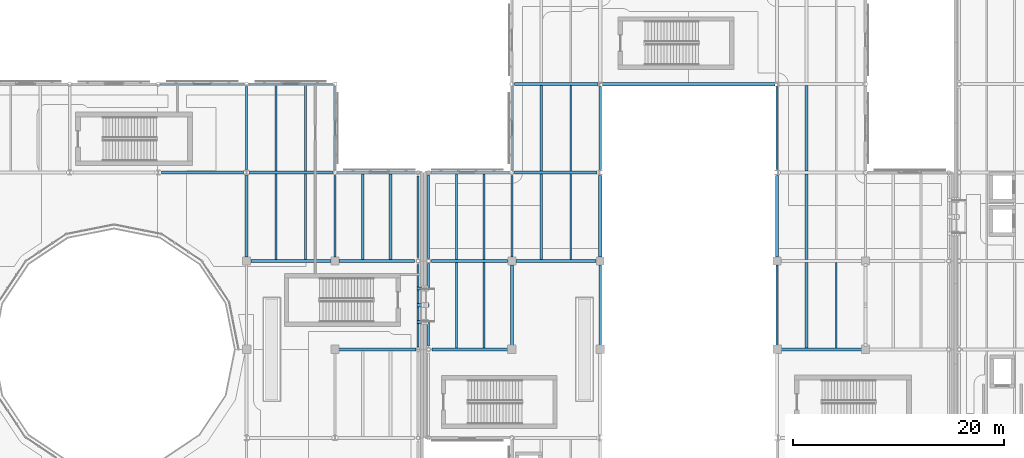
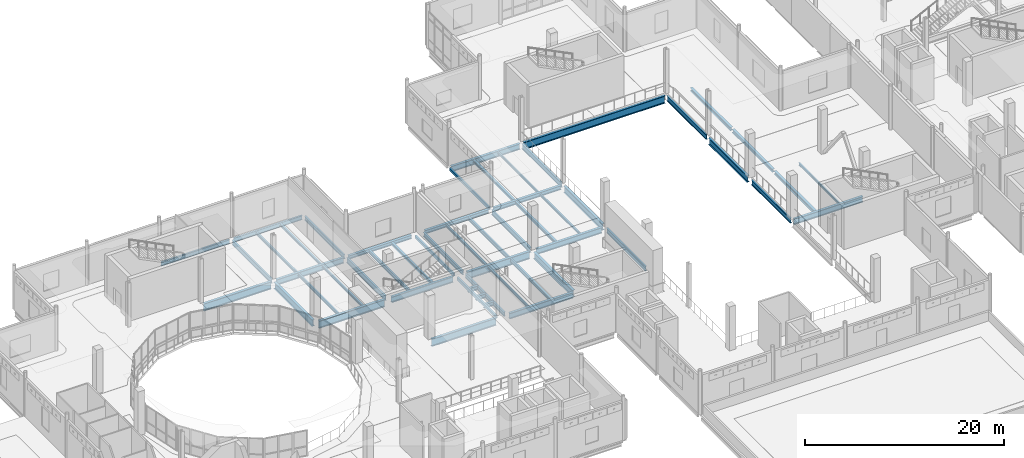
# One storey, part 27 of 110: 54 beams.
"""IFC4 building model written with IfcOpenShell, lengths in metres."""

import ifcopenshell
import ifcopenshell.guid

model = None  # the IFC model being written
_history = None  # IfcOwnerHistory: only IFC2X3 demands one
_inside = {}  # id of a spatial element -> (the spatial element, [elements in it])
_under = {}  # id of a project, library or spatial element -> (it, [spatial elements below it])
_declared = {}  # id of a project -> (the project, [libraries it declares])
_typed = {}  # id of a type object -> (the type object, [elements of that type])
_made_of = {}  # id of a material, layer set ... -> (it, [elements and type objects made of it])


def new_model(schema):
    """Start an empty IFC model of exactly this schema.

    Asked for "IFC4X3", IfcOpenShell would pick the latest addendum, in which some entities
    have other attributes; the version numbers below select the first issue.
    IFC2X3 requires an IfcOwnerHistory on every rooted entity: one is made here for all.
    """
    global model, _history
    if schema == "IFC4X3":
        model = ifcopenshell.file(schema_version=(4, 3, 0, 0))
    else:
        model = ifcopenshell.file(schema=schema)
    _inside.clear()
    _under.clear()
    _declared.clear()
    _typed.clear()
    _made_of.clear()
    _history = None
    if model.schema == "IFC2X3":
        org = make("IfcOrganization", Name="unknown")
        user = make(
            "IfcPersonAndOrganization",
            ThePerson=make("IfcPerson", FamilyName="unknown"),
            TheOrganization=org,
        )
        app = make(
            "IfcApplication",
            ApplicationDeveloper=org,
            Version="unknown",
            ApplicationFullName="unknown",
            ApplicationIdentifier="unknown",
        )
        _history = make(
            "IfcOwnerHistory",
            OwningUser=user,
            OwningApplication=app,
            ChangeAction="ADDED",
            CreationDate=0,
        )
    return model


def make(cls, **values):
    """One entity of the class cls with the attributes given. An attribute that is None is left unset."""
    return model.create_entity(
        cls, **{name: value for name, value in values.items() if value is not None}
    )


def rooted(cls, **values):
    """An entity with a GlobalId (a new one), such as an element, a storey or a relation."""
    return make(cls, GlobalId=ifcopenshell.guid.new(), OwnerHistory=_history, **values)


def si_unit(unit_type, name, prefix=None):
    """IfcSIUnit, for example si_unit("LENGTHUNIT", "METRE", prefix="MILLI")."""
    return make("IfcSIUnit", UnitType=unit_type, Prefix=prefix, Name=name)


def assignment(units):
    """IfcUnitAssignment: the units of a project."""
    return None if units is None else make("IfcUnitAssignment", Units=units)


def point(xyz):
    """IfcCartesianPoint."""
    return None if xyz is None else make("IfcCartesianPoint", Coordinates=xyz)


def direction(xyz):
    """IfcDirection."""
    return None if xyz is None else make("IfcDirection", DirectionRatios=xyz)


def frame(location, z_axis=None, x_axis=None):
    """IfcAxis2Placement3D, a coordinate frame: its origin and axes. An axis left out is left unset."""
    return make(
        "IfcAxis2Placement3D",
        Location=point(location),
        Axis=direction(z_axis),
        RefDirection=direction(x_axis),
    )


def frame_2d(location, x_axis=None):
    """IfcAxis2Placement2D, a coordinate frame in the plane: its origin and x axis."""
    return make(
        "IfcAxis2Placement2D", Location=point(location), RefDirection=direction(x_axis)
    )


def origin():
    """The frame at (0, 0, 0) with its axes left unset."""
    return frame((0.0, 0.0, 0.0))


def origin_2d():
    """The frame at (0, 0) in the plane with its x axis left unset."""
    return frame_2d((0.0, 0.0))


def place(relative_to, where):
    """IfcLocalPlacement: puts the frame where relative to a parent placement (None: the world)."""
    return make(
        "IfcLocalPlacement", PlacementRelTo=relative_to, RelativePlacement=where
    )


def context(
    kind, dimensions, precision=None, world=None, true_north=None, identifier=None
):
    """IfcGeometricRepresentationContext, for example the 3D "Model" context."""
    return make(
        "IfcGeometricRepresentationContext",
        ContextIdentifier=identifier,
        ContextType=kind,
        CoordinateSpaceDimension=dimensions,
        Precision=precision,
        WorldCoordinateSystem=world,
        TrueNorth=true_north,
    )


def subcontext(parent, identifier, kind, view, scale=None):
    """IfcGeometricRepresentationSubContext, for example "Body" below "Model"."""
    return make(
        "IfcGeometricRepresentationSubContext",
        ContextIdentifier=identifier,
        ContextType=kind,
        ParentContext=parent,
        TargetScale=scale,
        TargetView=view,
    )


def project(units=None, contexts=None):
    """IfcProject with its units and contexts."""
    return rooted(
        "IfcProject",
        Name="project",
        RepresentationContexts=contexts,
        UnitsInContext=assignment(units),
    )


def spatial(cls, under=None, at=None, **own):
    """A site, building, storey or space (cls), placed at a placement, below another one or the project."""
    s = rooted(cls, ObjectPlacement=at, **own)
    if under is not None:
        _under.setdefault(under.id(), (under, []))[1].append(s)
    return s


def profile(cls, at=None, kind="AREA", **sizes):
    """A parametric profile (cls). Its sizes go by their IFC names, for example OverallWidth=200.0."""
    return make(cls, ProfileType=kind, Position=at, **sizes)


def hollow_rectangle(**sizes):
    """IfcRectangleHollowProfileDef."""
    return profile("IfcRectangleHollowProfileDef", **sizes)


def i_section(**sizes):
    """IfcIShapeProfileDef."""
    return profile("IfcIShapeProfileDef", **sizes)


def extrude(swept, where, along, depth):
    """IfcExtrudedAreaSolid: the profile swept, set in the frame where, extruded along a direction by depth."""
    return make(
        "IfcExtrudedAreaSolid",
        SweptArea=swept,
        Position=where,
        ExtrudedDirection=direction(along),
        Depth=depth,
    )


def shape(context_of_items, identifier, shape_type, items):
    """IfcShapeRepresentation: the items that make up one representation, for example the "Body"."""
    return make(
        "IfcShapeRepresentation",
        ContextOfItems=context_of_items,
        RepresentationIdentifier=identifier,
        RepresentationType=shape_type,
        Items=items,
    )


def material(Name=None, Category=None):
    """IfcMaterial."""
    return make("IfcMaterial", Name=Name, Category=Category)


def material_profile(
    of_material, cross_section, Name=None, Category=None, Priority=None
):
    """IfcMaterialProfile: a cross section and its material."""
    return make(
        "IfcMaterialProfile",
        Name=Name,
        Material=of_material,
        Profile=cross_section,
        Priority=Priority,
        Category=Category,
    )


def profile_set(profiles, Name=None, composite=None):
    """IfcMaterialProfileSet."""
    return make(
        "IfcMaterialProfileSet",
        Name=Name,
        MaterialProfiles=profiles,
        CompositeProfile=composite,
    )


def made_of(thing, what):
    """Note that an element or type object is made of a material, layer set ...; save() writes the relation."""
    if what is not None:
        _made_of.setdefault(what.id(), (what, []))[1].append(thing)
    return thing


def type_object(cls, material=None, **own):
    """A type object (cls), such as IfcWallType, which elements share."""
    return made_of(rooted(cls, **own), material)


def element(
    cls,
    number,
    at=None,
    inside=None,
    cuts=None,
    type_object=None,
    material=None,
    context=None,
    identifier="Body",
    shape_type=None,
    held_by="IfcProductDefinitionShape",
    body=None,
    shapes=None,
    **own,
):
    """One element of the class cls, such as IfcWall. Its Tag is "e" and its number.

    at: its placement. inside: the storey or other place that contains it. cuts: it is an
    opening in that element (IfcRelVoidsElement). A single representation is given by context,
    identifier, shape_type and body (its items); several are given by shapes. held_by: the class
    of the entity that holds the representations. save() writes the other relations.
    """
    e = rooted(cls, Tag="e%d" % number, ObjectPlacement=at, **own)
    if body is not None:
        shapes = [shape(context, identifier, shape_type, body)]
    if shapes is not None:
        e.Representation = make(held_by, Representations=shapes)
    if inside is not None:
        _inside.setdefault(inside.id(), (inside, []))[1].append(e)
    if cuts is not None:
        rooted(
            "IfcRelVoidsElement", RelatingBuildingElement=cuts, RelatedOpeningElement=e
        )
    if type_object is not None:
        _typed.setdefault(type_object.id(), (type_object, []))[1].append(e)
    return made_of(e, material)


def aggregate(whole, parts):
    """IfcRelAggregates: a whole, such as a stair, and the parts it consists of."""
    return rooted("IfcRelAggregates", RelatingObject=whole, RelatedObjects=parts)


def save(model, path):
    """Write the relations noted so far, then the file.

    IfcRelAggregates (storeys below a building ...), IfcRelContainedInSpatialStructure (elements
    in a storey), IfcRelDefinesByType, IfcRelAssociatesMaterial and IfcRelDeclares: one each for
    every whole, place, type object, material and project.
    """
    for whole, parts in _under.values():
        aggregate(whole, parts)
    for where, things in _inside.values():
        rooted(
            "IfcRelContainedInSpatialStructure",
            RelatedElements=things,
            RelatingStructure=where,
        )
    for kind, things in _typed.values():
        rooted("IfcRelDefinesByType", RelatedObjects=things, RelatingType=kind)
    for what, things in _made_of.values():
        rooted("IfcRelAssociatesMaterial", RelatedObjects=things, RelatingMaterial=what)
    for by, libraries in _declared.values():
        rooted("IfcRelDeclares", RelatingContext=by, RelatedDefinitions=libraries)
    model.write(path)


model = new_model("IFC4")

# Units and contexts
model_context = context("Model", 3, precision=1e-05, world=origin(), true_north=direction((0.0, 1.0)))
body_context = subcontext(model_context, "Body", "Model", "MODEL_VIEW")
ifc_project = project(units=[si_unit("LENGTHUNIT", "METRE"), si_unit("AREAUNIT", "SQUARE_METRE"), si_unit("VOLUMEUNIT", "CUBIC_METRE"), si_unit("PLANEANGLEUNIT", "RADIAN"), si_unit("MASSUNIT", "GRAM", prefix="KILO"), si_unit("THERMODYNAMICTEMPERATUREUNIT", "KELVIN")], contexts=[model_context])

# Site, building, storey
site_placement = place(None, origin())
site = spatial("IfcSite", under=ifc_project, at=site_placement, CompositionType="ELEMENT")
building_placement = place(site_placement, origin())
building = spatial("IfcBuilding", under=site, at=building_placement, Name="Lustrewick Department Store", CompositionType="ELEMENT")
storey_placement = place(building_placement, frame((0.0, 0.0, 6.0)))
storey = spatial("IfcBuildingStorey", under=building, at=storey_placement, Name="L02", CompositionType="ELEMENT", Elevation=6.0)

# Beams
ifc_material_1 = material(Name="Structural steel Q355B", Category="steel")
ifc_material_profile_1 = material_profile(ifc_material_1, i_section(OverallWidth=0.198974609375, OverallDepth=0.446044921875, WebThickness=0.008056640625, FlangeThickness=0.011962890625, FilletRadius=0.01611328125, at=origin_2d()), Name="HN 446x199x8x12")
ifc_profile_set_1 = profile_set([ifc_material_profile_1], Name="Structural steel Q355B")
beam_type_1 = type_object("IfcBeamType", Name="B04", PredefinedType="JOIST", material=ifc_profile_set_1)
beam_1_placement = place(storey_placement, frame((53.033203125, 75.75, -0.47802734375), z_axis=(0.0, 1.0, 0.0), x_axis=(-1.0, 0.0, 0.0)))
element("IfcBeam", 1, at=beam_1_placement, inside=storey, type_object=beam_type_1, Name="L02 V1 Secondary Joist B04", PredefinedType="JOIST", context=body_context, shape_type="SweptSolid", body=[
    extrude(i_section(OverallWidth=0.198974609375, OverallDepth=0.446044921875, WebThickness=0.008056640625, FlangeThickness=0.011962890625, FilletRadius=0.01611328125, at=origin_2d()), origin(), (0.0, 0.0, 1.0), 8.10009765625),
])
beam_2_placement = place(storey_placement, frame((64.566650390625, 67.35009765625, -0.47802734375), z_axis=(0.0, 1.0, 0.0), x_axis=(-1.0, 0.0, 0.0)))
element("IfcBeam", 2, at=beam_2_placement, inside=storey, type_object=beam_type_1, Name="L02 V2 Secondary Joist B04", PredefinedType="JOIST", context=body_context, shape_type="SweptSolid", body=[
    extrude(i_section(OverallWidth=0.198974609375, OverallDepth=0.446044921875, WebThickness=0.008056640625, FlangeThickness=0.011962890625, FilletRadius=0.01611328125, at=origin_2d()), origin(), (0.0, 0.0, 1.0), 8.098876953125),
])
beam_3_placement = place(storey_placement, frame((64.566650390625, 75.7509765625, -0.47802734375), z_axis=(0.0, 1.0, 0.0), x_axis=(-1.0, 0.0, 0.0)))
element("IfcBeam", 3, at=beam_3_placement, inside=storey, type_object=beam_type_1, Name="L02 V2 Secondary Joist B04", PredefinedType="JOIST", context=body_context, shape_type="SweptSolid", body=[
    extrude(i_section(OverallWidth=0.198974609375, OverallDepth=0.446044921875, WebThickness=0.008056640625, FlangeThickness=0.011962890625, FilletRadius=0.01611328125, at=origin_2d()), origin(), (0.0, 0.0, 1.0), 8.09912109375),
])
ifc_material_profile_2 = material_profile(ifc_material_1, i_section(OverallWidth=0.300048828125, OverallDepth=0.389892578125, WebThickness=0.010009765625, FlangeThickness=0.01611328125, FilletRadius=0.01806640625, at=origin_2d()), Name="HM 390x300x10x16")
ifc_profile_set_2 = profile_set([ifc_material_profile_2], Name="Structural steel Q355B")
beam_type_2 = type_object("IfcBeamType", Name="B07", PredefinedType="JOIST", material=ifc_profile_set_2)
beam_4_placement = place(storey_placement, frame((95.199951171875, 67.35009765625, -0.449951171875), z_axis=(0.0, 1.0, 0.0), x_axis=(-1.0, 0.0, 0.0)))
element("IfcBeam", 4, at=beam_4_placement, inside=storey, type_object=beam_type_2, Name="L02 V2 Secondary Joist B07", PredefinedType="JOIST", context=body_context, shape_type="SweptSolid", body=[
    extrude(i_section(OverallWidth=0.300048828125, OverallDepth=0.389892578125, WebThickness=0.010009765625, FlangeThickness=0.01611328125, FilletRadius=0.01806640625, at=origin_2d()), origin(), (0.0, 0.0, 1.0), 8.099853515625),
])
for number, where, z_axis, x_axis, name in (
    (5, (95.199951171875, 75.75, -0.449951171875), (0.0, 1.0, 0.0), (-1.0, 0.0, 0.0), "L02 V2 Secondary Joist B07"),
    (6, (95.199951171875, 84.14990234375, -0.449951171875), (0.0, 1.0, 0.0), (-1.0, 0.0, 0.0), "L02 V2 Secondary Joist B07"),
):
    element("IfcBeam", number, at=place(storey_placement, frame(where, z_axis=z_axis, x_axis=x_axis)), inside=storey, type_object=beam_type_2, Name=name, PredefinedType="JOIST", context=body_context, shape_type="SweptSolid", body=[
        extrude(i_section(OverallWidth=0.300048828125, OverallDepth=0.389892578125, WebThickness=0.010009765625, FlangeThickness=0.01611328125, FilletRadius=0.01806640625, at=origin_2d()), origin(), (0.0, 0.0, 1.0), 8.10009765625),
    ])
ifc_material_profile_3 = material_profile(ifc_material_1, i_section(OverallWidth=0.25, OverallDepth=0.340087890625, WebThickness=0.009033203125, FlangeThickness=0.013916015625, FilletRadius=0.01611328125, at=origin_2d()), Name="HM 340x250x9x14")
ifc_profile_set_3 = profile_set([ifc_material_profile_3], Name="Structural steel Q355B")
beam_type_3 = type_object("IfcBeamType", Name="B08", PredefinedType="JOIST", material=ifc_profile_set_3)
for number, where, z_axis, x_axis, name in (
    (7, (55.666748046875, 75.75, -0.425048828125), (0.0, 1.0, 0.0), (-1.0, 0.0, 0.0), "L02 V1 Secondary Joist B08"),
    (8, (70.0, 75.75, -0.425048828125), (0.0, 1.0, 0.0), (-1.0, 0.0, 0.0), "L02 V2 Secondary Joist B08"),
    (9, (70.0, 84.14990234375, -0.425048828125), (0.0, 1.0, 0.0), (-1.0, 0.0, 0.0), "L02 V2 Secondary Joist B08"),
):
    element("IfcBeam", number, at=place(storey_placement, frame(where, z_axis=z_axis, x_axis=x_axis)), inside=storey, type_object=beam_type_3, Name=name, PredefinedType="JOIST", context=body_context, shape_type="SweptSolid", body=[
        extrude(i_section(OverallWidth=0.25, OverallDepth=0.340087890625, WebThickness=0.009033203125, FlangeThickness=0.013916015625, FilletRadius=0.01611328125, at=origin_2d()), origin(), (0.0, 0.0, 1.0), 8.10009765625),
    ])
ifc_material_profile_4 = material_profile(ifc_material_1, i_section(OverallWidth=0.175048828125, OverallDepth=0.35009765625, WebThickness=0.007080078125, FlangeThickness=0.010986328125, FilletRadius=0.012939453125, at=origin_2d()), Name="HN 350x175x7x11")
ifc_profile_set_4 = profile_set([ifc_material_profile_4], Name="Structural steel Q355B")
beam_type_4 = type_object("IfcBeamType", Name="B09", PredefinedType="JOIST", material=ifc_profile_set_4)
beam_5_placement = place(storey_placement, frame((44.800048828125, 75.7509765625, -0.429931640625), z_axis=(0.0, 1.0, 0.0), x_axis=(-1.0, 0.0, 0.0)))
element("IfcBeam", 10, at=beam_5_placement, inside=storey, type_object=beam_type_4, Name="L02 V1 Secondary Joist B09", PredefinedType="JOIST", context=body_context, shape_type="SweptSolid", body=[
    extrude(i_section(OverallWidth=0.175048828125, OverallDepth=0.35009765625, WebThickness=0.007080078125, FlangeThickness=0.010986328125, FilletRadius=0.012939453125, at=origin_2d()), origin(), (0.0, 0.0, 1.0), 8.09912109375),
])
beam_6_placement = place(storey_placement, frame((44.800048828125, 84.14990234375, -0.429931640625), z_axis=(0.0, 1.0, 0.0), x_axis=(-1.0, 0.0, 0.0)))
element("IfcBeam", 11, at=beam_6_placement, inside=storey, type_object=beam_type_4, Name="L02 V1 Secondary Joist B09", PredefinedType="JOIST", context=body_context, shape_type="SweptSolid", body=[
    extrude(i_section(OverallWidth=0.175048828125, OverallDepth=0.35009765625, WebThickness=0.007080078125, FlangeThickness=0.010986328125, FilletRadius=0.012939453125, at=origin_2d()), origin(), (0.0, 0.0, 1.0), 8.149658203125),
])
ifc_material_profile_5 = material_profile(ifc_material_1, i_section(OverallWidth=0.14990234375, OverallDepth=0.300048828125, WebThickness=0.006591796875, FlangeThickness=0.009033203125, FilletRadius=0.011962890625, at=origin_2d()), Name="HN 300x150x6.5x9")
ifc_profile_set_5 = profile_set([ifc_material_profile_5], Name="Structural steel Q355B")
beam_type_5 = type_object("IfcBeamType", Name="B11", PredefinedType="JOIST", material=ifc_profile_set_5)
beam_7_placement = place(storey_placement, frame((98.0, 67.35009765625, -0.405029296875), z_axis=(0.0, 1.0, 0.0), x_axis=(-1.0, 0.0, 0.0)))
element("IfcBeam", 12, at=beam_7_placement, inside=storey, type_object=beam_type_5, Name="L02 V2 Secondary Joist B11", PredefinedType="JOIST", context=body_context, shape_type="SweptSolid", body=[
    extrude(i_section(OverallWidth=0.14990234375, OverallDepth=0.300048828125, WebThickness=0.006591796875, FlangeThickness=0.009033203125, FilletRadius=0.011962890625, at=origin_2d()), origin(), (0.0, 0.0, 1.0), 8.099853515625),
])
ifc_material_profile_6 = material_profile(ifc_material_1, i_section(OverallWidth=0.14892578125, OverallDepth=0.298095703125, WebThickness=0.005615234375, FlangeThickness=0.008056640625, FilletRadius=0.011962890625, at=origin_2d()), Name="HN 298x149x5.5x8")
ifc_profile_set_6 = profile_set([ifc_material_profile_6], Name="Structural steel Q355B")
beam_type_6 = type_object("IfcBeamType", Name="B12", PredefinedType="JOIST", material=ifc_profile_set_6)
for number, where, z_axis, x_axis, name in (
    (13, (72.800048828125, 75.75, -0.404052734375), (0.0, 1.0, 0.0), (-1.0, 0.0, 0.0), "L02 V2 Secondary Joist B12"),
    (14, (72.800048828125, 84.14990234375, -0.404052734375), (0.0, 1.0, 0.0), (-1.0, 0.0, 0.0), "L02 V2 Secondary Joist B12"),
):
    element("IfcBeam", number, at=place(storey_placement, frame(where, z_axis=z_axis, x_axis=x_axis)), inside=storey, type_object=beam_type_6, Name=name, PredefinedType="JOIST", context=body_context, shape_type="SweptSolid", body=[
        extrude(i_section(OverallWidth=0.14892578125, OverallDepth=0.298095703125, WebThickness=0.005615234375, FlangeThickness=0.008056640625, FilletRadius=0.011962890625, at=origin_2d()), origin(), (0.0, 0.0, 1.0), 8.10009765625),
    ])
ifc_material_profile_7 = material_profile(ifc_material_1, i_section(OverallWidth=0.199951171875, OverallDepth=0.2939453125, WebThickness=0.008056640625, FlangeThickness=0.011962890625, FilletRadius=0.013916015625, at=origin_2d()), Name="HM 294x200x8x12")
ifc_profile_set_7 = profile_set([ifc_material_profile_7], Name="Structural steel Q355B")
beam_type_7 = type_object("IfcBeamType", Name="B13", PredefinedType="JOIST", material=ifc_profile_set_7)
beam_8_placement = place(storey_placement, frame((47.60009765625, 75.7509765625, -0.402099609375), z_axis=(0.0, 1.0, 0.0), x_axis=(-1.0, 0.0, 0.0)))
element("IfcBeam", 15, at=beam_8_placement, inside=storey, type_object=beam_type_7, Name="L02 V1 Secondary Joist B13", PredefinedType="JOIST", context=body_context, shape_type="SweptSolid", body=[
    extrude(i_section(OverallWidth=0.199951171875, OverallDepth=0.2939453125, WebThickness=0.008056640625, FlangeThickness=0.011962890625, FilletRadius=0.013916015625, at=origin_2d()), origin(), (0.0, 0.0, 1.0), 8.09912109375),
])
beam_9_placement = place(storey_placement, frame((47.60009765625, 84.14990234375, -0.402099609375), z_axis=(0.0, 1.0, 0.0), x_axis=(-1.0, 0.0, 0.0)))
element("IfcBeam", 16, at=beam_9_placement, inside=storey, type_object=beam_type_7, Name="L02 V1 Secondary Joist B13", PredefinedType="JOIST", context=body_context, shape_type="SweptSolid", body=[
    extrude(i_section(OverallWidth=0.199951171875, OverallDepth=0.2939453125, WebThickness=0.008056640625, FlangeThickness=0.011962890625, FilletRadius=0.013916015625, at=origin_2d()), origin(), (0.0, 0.0, 1.0), 8.149658203125),
])
beam_10_placement = place(storey_placement, frame((61.933349609375, 67.35009765625, -0.402099609375), z_axis=(0.0, 1.0, 0.0), x_axis=(-1.0, 0.0, 0.0)))
element("IfcBeam", 17, at=beam_10_placement, inside=storey, type_object=beam_type_7, Name="L02 V2 Secondary Joist B13", PredefinedType="JOIST", context=body_context, shape_type="SweptSolid", body=[
    extrude(i_section(OverallWidth=0.199951171875, OverallDepth=0.2939453125, WebThickness=0.008056640625, FlangeThickness=0.011962890625, FilletRadius=0.013916015625, at=origin_2d()), origin(), (0.0, 0.0, 1.0), 8.098876953125),
])
beam_11_placement = place(storey_placement, frame((61.933349609375, 75.7509765625, -0.402099609375), z_axis=(0.0, 1.0, 0.0), x_axis=(-1.0, 0.0, 0.0)))
element("IfcBeam", 18, at=beam_11_placement, inside=storey, type_object=beam_type_7, Name="L02 V2 Secondary Joist B13", PredefinedType="JOIST", context=body_context, shape_type="SweptSolid", body=[
    extrude(i_section(OverallWidth=0.199951171875, OverallDepth=0.2939453125, WebThickness=0.008056640625, FlangeThickness=0.011962890625, FilletRadius=0.013916015625, at=origin_2d()), origin(), (0.0, 0.0, 1.0), 8.09912109375),
])
ifc_material_2 = material(Name="Structural steel Q355C", Category="steel")
ifc_material_profile_8 = material_profile(ifc_material_2, i_section(OverallWidth=0.302001953125, OverallDepth=0.912109375, WebThickness=0.01806640625, FlangeThickness=0.033935546875, FilletRadius=0.02392578125, at=origin_2d()), Name="HN 912x302x18x34")
ifc_profile_set_8 = profile_set([ifc_material_profile_8], Name="Structural steel Q355C")
beam_type_8 = type_object("IfcBeamType", Name="G01", PredefinedType="BEAM", material=ifc_profile_set_8)
beam_12_placement = place(storey_placement, frame((50.60009765625, 67.199951171875, -0.7109375), z_axis=(1.0, 0.0, 0.0), x_axis=(0.0, 1.0, 0.0)))
element("IfcBeam", 19, at=beam_12_placement, inside=storey, type_object=beam_type_8, Name="L02 V1 Girder G01", PredefinedType="BEAM", context=body_context, shape_type="SweptSolid", body=[
    extrude(i_section(OverallWidth=0.302001953125, OverallDepth=0.912109375, WebThickness=0.01806640625, FlangeThickness=0.033935546875, FilletRadius=0.02392578125, at=origin_2d()), origin(), (0.0, 0.0, 1.0), 7.471435546875),
])
beam_13_placement = place(storey_placement, frame((42.39990234375, 75.60009765625, -0.7109375), z_axis=(1.0, 0.0, 0.0), x_axis=(0.0, 1.0, 0.0)))
element("IfcBeam", 20, at=beam_13_placement, inside=storey, type_object=beam_type_8, Name="L02 V1 Girder G01", PredefinedType="BEAM", context=body_context, shape_type="SweptSolid", body=[
    extrude(i_section(OverallWidth=0.302001953125, OverallDepth=0.912109375, WebThickness=0.01806640625, FlangeThickness=0.033935546875, FilletRadius=0.02392578125, at=origin_2d()), origin(), (0.0, 0.0, 1.0), 7.60009765625),
])
beam_14_placement = place(storey_placement, frame((33.89990234375, 84.0, -0.7109375), z_axis=(1.0, 0.0, 0.0), x_axis=(0.0, 1.0, 0.0)))
element("IfcBeam", 21, at=beam_14_placement, inside=storey, type_object=beam_type_8, Name="L02 V1 Girder G01", PredefinedType="BEAM", context=body_context, shape_type="SweptSolid", body=[
    extrude(i_section(OverallWidth=0.302001953125, OverallDepth=0.912109375, WebThickness=0.01806640625, FlangeThickness=0.033935546875, FilletRadius=0.02392578125, at=origin_2d()), origin(), (0.0, 0.0, 1.0), 7.800048828125),
])
beam_15_placement = place(storey_placement, frame((59.553955078125, 75.60009765625, -0.7109375), z_axis=(1.0, 0.0, 0.0), x_axis=(0.0, 1.0, 0.0)))
element("IfcBeam", 22, at=beam_15_placement, inside=storey, type_object=beam_type_8, Name="L02 V2 Girder G01", PredefinedType="BEAM", context=body_context, shape_type="SweptSolid", body=[
    extrude(i_section(OverallWidth=0.302001953125, OverallDepth=0.912109375, WebThickness=0.01806640625, FlangeThickness=0.033935546875, FilletRadius=0.02392578125, at=origin_2d()), origin(), (0.0, 0.0, 1.0), 7.24609375),
])
beam_16_placement = place(storey_placement, frame((75.802490234375, 92.39990234375, -0.7109375), z_axis=(1.0, 0.0, 0.0), x_axis=(0.0, 1.0, 0.0)))
element("IfcBeam", 23, at=beam_16_placement, inside=storey, type_object=beam_type_8, Name="L02 V2 Girder G01", PredefinedType="BEAM", context=body_context, shape_type="SweptSolid", body=[
    extrude(i_section(OverallWidth=0.302001953125, OverallDepth=0.912109375, WebThickness=0.01806640625, FlangeThickness=0.033935546875, FilletRadius=0.02392578125, at=origin_2d()), origin(), (0.0, 0.0, 1.0), 16.39501953125),
])
ifc_material_profile_9 = material_profile(ifc_material_1, i_section(OverallWidth=0.300048828125, OverallDepth=0.800048828125, WebThickness=0.013916015625, FlangeThickness=0.02587890625, FilletRadius=0.02197265625, at=origin_2d()), Name="HN 800x300x14x26")
ifc_profile_set_9 = profile_set([ifc_material_profile_9], Name="Structural steel Q355B")
beam_type_9 = type_object("IfcBeamType", Name="G05", PredefinedType="BEAM", material=ifc_profile_set_9)
beam_17_placement = place(storey_placement, frame((67.199951171875, 67.39990234375, -0.655029296875), z_axis=(0.0, 1.0, 0.0), x_axis=(-1.0, 0.0, 0.0)))
element("IfcBeam", 24, at=beam_17_placement, inside=storey, type_object=beam_type_9, Name="L02 V2 Girder G05", PredefinedType="BEAM", context=body_context, shape_type="SweptSolid", body=[
    extrude(i_section(OverallWidth=0.300048828125, OverallDepth=0.800048828125, WebThickness=0.013916015625, FlangeThickness=0.02587890625, FilletRadius=0.02197265625, at=origin_2d()), origin(), (0.0, 0.0, 1.0), 7.800048828125),
])
for number, where, z_axis, x_axis, name in (
    (25, (75.60009765625, 76.0, -0.655029296875), (0.0, 1.0, 0.0), (-1.0, 0.0, 0.0), "L02 V2 Girder G05"),
    (26, (92.39990234375, 76.0, -0.655029296875), (0.0, 1.0, 0.0), (-1.0, 0.0, 0.0), "L02 V2 Girder G05"),
):
    element("IfcBeam", number, at=place(storey_placement, frame(where, z_axis=z_axis, x_axis=x_axis)), inside=storey, type_object=beam_type_9, Name=name, PredefinedType="BEAM", context=body_context, shape_type="SweptSolid", body=[
        extrude(i_section(OverallWidth=0.300048828125, OverallDepth=0.800048828125, WebThickness=0.013916015625, FlangeThickness=0.02587890625, FilletRadius=0.02197265625, at=origin_2d()), origin(), (0.0, 0.0, 1.0), 7.699951171875),
    ])
ifc_material_profile_10 = material_profile(ifc_material_1, i_section(OverallWidth=0.300048828125, OverallDepth=0.7919921875, WebThickness=0.013916015625, FlangeThickness=0.02197265625, FilletRadius=0.02197265625, at=origin_2d()), Name="HN 792x300x14x22")
ifc_profile_set_10 = profile_set([ifc_material_profile_10], Name="Structural steel Q355B")
beam_type_10 = type_object("IfcBeamType", Name="G06", PredefinedType="BEAM", material=ifc_profile_set_10)
beam_18_placement = place(storey_placement, frame((42.0, 76.0, -0.65087890625), z_axis=(0.0, 1.0, 0.0), x_axis=(-1.0, 0.0, 0.0)))
element("IfcBeam", 27, at=beam_18_placement, inside=storey, type_object=beam_type_10, Name="L02 V1 Girder G06", PredefinedType="BEAM", context=body_context, shape_type="SweptSolid", body=[
    extrude(i_section(OverallWidth=0.300048828125, OverallDepth=0.7919921875, WebThickness=0.013916015625, FlangeThickness=0.02197265625, FilletRadius=0.02197265625, at=origin_2d()), origin(), (0.0, 0.0, 1.0), 7.699951171875),
])
ifc_material_profile_11 = material_profile(ifc_material_1, i_section(OverallWidth=0.300048828125, OverallDepth=0.69189453125, WebThickness=0.012939453125, FlangeThickness=0.02001953125, FilletRadius=0.02001953125, at=origin_2d()), Name="HN 692x300x13x20")
ifc_profile_set_11 = profile_set([ifc_material_profile_11], Name="Structural steel Q355B")
beam_type_11 = type_object("IfcBeamType", Name="G09", PredefinedType="BEAM", material=ifc_profile_set_11)
beam_19_placement = place(storey_placement, frame((50.800048828125, 75.60009765625, -0.60107421875), z_axis=(1.0, 0.0, 0.0), x_axis=(0.0, 1.0, 0.0)))
element("IfcBeam", 28, at=beam_19_placement, inside=storey, type_object=beam_type_11, Name="L02 V1 Girder G09", PredefinedType="BEAM", context=body_context, shape_type="SweptSolid", body=[
    extrude(i_section(OverallWidth=0.300048828125, OverallDepth=0.69189453125, WebThickness=0.012939453125, FlangeThickness=0.02001953125, FilletRadius=0.02001953125, at=origin_2d()), origin(), (0.0, 0.0, 1.0), 7.14990234375),
])
beam_20_placement = place(storey_placement, frame((42.300048828125, 84.0, -0.60107421875), z_axis=(1.0, 0.0, 0.0), x_axis=(0.0, 1.0, 0.0)))
element("IfcBeam", 29, at=beam_20_placement, inside=storey, type_object=beam_type_11, Name="L02 V1 Girder G09", PredefinedType="BEAM", context=body_context, shape_type="SweptSolid", body=[
    extrude(i_section(OverallWidth=0.300048828125, OverallDepth=0.69189453125, WebThickness=0.012939453125, FlangeThickness=0.02001953125, FilletRadius=0.02001953125, at=origin_2d()), origin(), (0.0, 0.0, 1.0), 7.845947265625),
])
beam_21_placement = place(storey_placement, frame((59.625, 67.199951171875, -0.60107421875), z_axis=(1.0, 0.0, 0.0), x_axis=(0.0, 1.0, 0.0)))
element("IfcBeam", 30, at=beam_21_placement, inside=storey, type_object=beam_type_11, Name="L02 V2 Girder G09", PredefinedType="BEAM", context=body_context, shape_type="SweptSolid", body=[
    extrude(i_section(OverallWidth=0.300048828125, OverallDepth=0.69189453125, WebThickness=0.012939453125, FlangeThickness=0.02001953125, FilletRadius=0.02001953125, at=origin_2d()), origin(), (0.0, 0.0, 1.0), 7.375),
])
beam_22_placement = place(storey_placement, frame((92.60009765625, 67.199951171875, -0.60107421875), z_axis=(1.0, 0.0, 0.0), x_axis=(0.0, 1.0, 0.0)))
element("IfcBeam", 31, at=beam_22_placement, inside=storey, type_object=beam_type_11, Name="L02 V2 Girder G09", PredefinedType="BEAM", context=body_context, shape_type="SweptSolid", body=[
    extrude(i_section(OverallWidth=0.300048828125, OverallDepth=0.69189453125, WebThickness=0.012939453125, FlangeThickness=0.02001953125, FilletRadius=0.02001953125, at=origin_2d()), origin(), (0.0, 0.0, 1.0), 8.0),
])
beam_23_placement = place(storey_placement, frame((67.60009765625, 75.60009765625, -0.60107421875), z_axis=(1.0, 0.0, 0.0), x_axis=(0.0, 1.0, 0.0)))
element("IfcBeam", 32, at=beam_23_placement, inside=storey, type_object=beam_type_11, Name="L02 V2 Girder G09", PredefinedType="BEAM", context=body_context, shape_type="SweptSolid", body=[
    extrude(i_section(OverallWidth=0.300048828125, OverallDepth=0.69189453125, WebThickness=0.012939453125, FlangeThickness=0.02001953125, FilletRadius=0.02001953125, at=origin_2d()), origin(), (0.0, 0.0, 1.0), 7.599853515625),
])
beam_24_placement = place(storey_placement, frame((67.428466796875, 92.39990234375, -0.60107421875), z_axis=(1.0, 0.0, 0.0), x_axis=(0.0, 1.0, 0.0)))
element("IfcBeam", 33, at=beam_24_placement, inside=storey, type_object=beam_type_11, Name="L02 V2 Girder G09", PredefinedType="BEAM", context=body_context, shape_type="SweptSolid", body=[
    extrude(i_section(OverallWidth=0.300048828125, OverallDepth=0.69189453125, WebThickness=0.012939453125, FlangeThickness=0.02001953125, FilletRadius=0.02001953125, at=origin_2d()), origin(), (0.0, 0.0, 1.0), 7.968994140625),
])
ifc_material_profile_12 = material_profile(ifc_material_1, i_section(OverallWidth=0.200927734375, OverallDepth=0.60595703125, WebThickness=0.011962890625, FlangeThickness=0.02001953125, FilletRadius=0.01806640625, at=origin_2d()), Name="HN 606x201x12x20")
ifc_profile_set_12 = profile_set([ifc_material_profile_12], Name="Structural steel Q355B")
beam_type_12 = type_object("IfcBeamType", Name="G13", PredefinedType="BEAM", material=ifc_profile_set_12)
beam_25_placement = place(storey_placement, frame((92.39990234375, 84.300048828125, -0.55810546875), z_axis=(0.0, 1.0, 0.0), x_axis=(-1.0, 0.0, 0.0)))
element("IfcBeam", 34, at=beam_25_placement, inside=storey, type_object=beam_type_12, Name="L02 V2 Girder G13", PredefinedType="BEAM", context=body_context, shape_type="SweptSolid", body=[
    extrude(i_section(OverallWidth=0.200927734375, OverallDepth=0.60595703125, WebThickness=0.011962890625, FlangeThickness=0.02001953125, FilletRadius=0.01806640625, at=origin_2d()), origin(), (0.0, 0.0, 1.0), 7.89306640625),
])
ifc_material_profile_13 = material_profile(ifc_material_1, i_section(OverallWidth=0.199951171875, OverallDepth=0.60009765625, WebThickness=0.010986328125, FlangeThickness=0.01708984375, FilletRadius=0.01806640625, at=origin_2d()), Name="HN 600x200x11x17")
ifc_profile_set_13 = profile_set([ifc_material_profile_13], Name="Structural steel Q355B")
beam_type_13 = type_object("IfcBeamType", Name="G14", PredefinedType="BEAM", material=ifc_profile_set_13)
beam_26_placement = place(storey_placement, frame((42.0, 84.300048828125, -0.554931640625), z_axis=(0.0, 1.0, 0.0), x_axis=(-1.0, 0.0, 0.0)))
element("IfcBeam", 35, at=beam_26_placement, inside=storey, type_object=beam_type_13, Name="L02 V1 Girder G14", PredefinedType="BEAM", context=body_context, shape_type="SweptSolid", body=[
    extrude(i_section(OverallWidth=0.199951171875, OverallDepth=0.60009765625, WebThickness=0.010986328125, FlangeThickness=0.01708984375, FilletRadius=0.01806640625, at=origin_2d()), origin(), (0.0, 0.0, 1.0), 7.871337890625),
])
for number, where, z_axis, x_axis, name in (
    (36, (50.39990234375, 76.0, -0.554931640625), (0.0, 1.0, 0.0), (-1.0, 0.0, 0.0), "L02 V1 Girder G14"),
    (37, (67.199951171875, 76.0, -0.554931640625), (0.0, 1.0, 0.0), (-1.0, 0.0, 0.0), "L02 V2 Girder G14"),
):
    element("IfcBeam", number, at=place(storey_placement, frame(where, z_axis=z_axis, x_axis=x_axis)), inside=storey, type_object=beam_type_13, Name=name, PredefinedType="BEAM", context=body_context, shape_type="SweptSolid", body=[
        extrude(i_section(OverallWidth=0.199951171875, OverallDepth=0.60009765625, WebThickness=0.010986328125, FlangeThickness=0.01708984375, FilletRadius=0.01806640625, at=origin_2d()), origin(), (0.0, 0.0, 1.0), 7.74609375),
    ])
beam_27_placement = place(storey_placement, frame((75.60009765625, 67.39990234375, -0.554931640625), z_axis=(0.0, 1.0, 0.0), x_axis=(-1.0, 0.0, 0.0)))
element("IfcBeam", 38, at=beam_27_placement, inside=storey, type_object=beam_type_13, Name="L02 V2 Girder G14", PredefinedType="BEAM", context=body_context, shape_type="SweptSolid", body=[
    extrude(i_section(OverallWidth=0.199951171875, OverallDepth=0.60009765625, WebThickness=0.010986328125, FlangeThickness=0.01708984375, FilletRadius=0.01806640625, at=origin_2d()), origin(), (0.0, 0.0, 1.0), 7.800048828125),
])
beam_28_placement = place(storey_placement, frame((75.60009765625, 84.300048828125, -0.554931640625), z_axis=(0.0, 1.0, 0.0), x_axis=(-1.0, 0.0, 0.0)))
element("IfcBeam", 39, at=beam_28_placement, inside=storey, type_object=beam_type_13, Name="L02 V2 Girder G14", PredefinedType="BEAM", context=body_context, shape_type="SweptSolid", body=[
    extrude(i_section(OverallWidth=0.199951171875, OverallDepth=0.60009765625, WebThickness=0.010986328125, FlangeThickness=0.01708984375, FilletRadius=0.01806640625, at=origin_2d()), origin(), (0.0, 0.0, 1.0), 7.89306640625),
])
beam_29_placement = place(storey_placement, frame((92.39990234375, 67.39990234375, -0.554931640625), z_axis=(0.0, 1.0, 0.0), x_axis=(-1.0, 0.0, 0.0)))
element("IfcBeam", 40, at=beam_29_placement, inside=storey, type_object=beam_type_13, Name="L02 V2 Girder G14", PredefinedType="BEAM", context=body_context, shape_type="SweptSolid", body=[
    extrude(i_section(OverallWidth=0.199951171875, OverallDepth=0.60009765625, WebThickness=0.010986328125, FlangeThickness=0.01708984375, FilletRadius=0.01806640625, at=origin_2d()), origin(), (0.0, 0.0, 1.0), 7.800048828125),
])
ifc_material_profile_14 = material_profile(ifc_material_1, i_section(OverallWidth=0.300048828125, OverallDepth=0.488037109375, WebThickness=0.010986328125, FlangeThickness=0.01806640625, FilletRadius=0.02197265625, at=origin_2d()), Name="HM 488x300x11x18")
ifc_profile_set_14 = profile_set([ifc_material_profile_14], Name="Structural steel Q355B")
beam_type_14 = type_object("IfcBeamType", Name="G16", PredefinedType="BEAM", material=ifc_profile_set_14)
for number, where, z_axis, x_axis, name in (
    (41, (58.199951171875, 69.800048828125, -0.4990234375), (1.0, 0.0, 0.0), (0.0, 1.0, 0.0), "L02 Skybridge SB12 Girder 1"),
    (42, (58.199951171875, 73.0, -0.4990234375), (1.0, 0.0, 0.0), (0.0, 1.0, 0.0), "L02 Skybridge SB12 Girder 2"),
    (43, (58.199951171875, 71.39990234375, -0.4990234375), (1.0, 0.0, 0.0), (0.0, 1.0, 0.0), "L02 Skybridge SB12 Girder 3"),
):
    element("IfcBeam", number, at=place(storey_placement, frame(where, z_axis=z_axis, x_axis=x_axis)), inside=storey, type_object=beam_type_14, Name=name, PredefinedType="BEAM", context=body_context, shape_type="SweptSolid", body=[
        extrude(i_section(OverallWidth=0.300048828125, OverallDepth=0.488037109375, WebThickness=0.010986328125, FlangeThickness=0.01806640625, FilletRadius=0.02197265625, at=origin_2d()), origin(), (0.0, 0.0, 1.0), 1.14013671875),
    ])
ifc_material_profile_15 = material_profile(ifc_material_1, i_section(OverallWidth=0.300048828125, OverallDepth=0.48193359375, WebThickness=0.010986328125, FlangeThickness=0.014892578125, FilletRadius=0.02197265625, at=origin_2d()), Name="HM 482x300x11x15")
ifc_profile_set_15 = profile_set([ifc_material_profile_15], Name="Structural steel Q355B")
beam_type_15 = type_object("IfcBeamType", Name="G20", PredefinedType="BEAM", material=ifc_profile_set_15)
beam_30_placement = place(storey_placement, frame((67.4541015625, 84.0, -0.49609375), z_axis=(1.0, 0.0, 0.0), x_axis=(0.0, 1.0, 0.0)))
element("IfcBeam", 44, at=beam_30_placement, inside=storey, type_object=beam_type_15, Name="L02 V2 Girder G20", PredefinedType="BEAM", context=body_context, shape_type="SweptSolid", body=[
    extrude(i_section(OverallWidth=0.300048828125, OverallDepth=0.48193359375, WebThickness=0.010986328125, FlangeThickness=0.014892578125, FilletRadius=0.02197265625, at=origin_2d()), origin(), (0.0, 0.0, 1.0), 7.845947265625),
])
ifc_material_profile_16 = material_profile(ifc_material_1, i_section(OverallWidth=0.200927734375, OverallDepth=0.506103515625, WebThickness=0.010986328125, FlangeThickness=0.01904296875, FilletRadius=0.01611328125, at=origin_2d()), Name="HN 506x201x11x19")
ifc_profile_set_16 = profile_set([ifc_material_profile_16], Name="Structural steel Q355B")
beam_type_16 = type_object("IfcBeamType", Name="SP01", PredefinedType="SPANDREL", material=ifc_profile_set_16)
for number, where, z_axis, x_axis, name in (
    (45, (33.82861328125, 92.39990234375, -0.508056640625), (1.0, 0.0, 0.0), (0.0, 1.0, 0.0), "L02 V1 Girder SP01"),
    (46, (42.228515625, 92.39990234375, -0.508056640625), (1.0, 0.0, 0.0), (0.0, 1.0, 0.0), "L02 V1 Girder SP01"),
):
    element("IfcBeam", number, at=place(storey_placement, frame(where, z_axis=z_axis, x_axis=x_axis)), inside=storey, type_object=beam_type_16, Name=name, PredefinedType="SPANDREL", context=body_context, shape_type="SweptSolid", body=[
        extrude(i_section(OverallWidth=0.200927734375, OverallDepth=0.506103515625, WebThickness=0.010986328125, FlangeThickness=0.01904296875, FilletRadius=0.01611328125, at=origin_2d()), origin(), (0.0, 0.0, 1.0), 7.94287109375),
    ])
beam_31_placement = place(storey_placement, frame((50.39990234375, 84.25390625, -0.508056640625), z_axis=(0.0, 1.0, 0.0), x_axis=(-1.0, 0.0, 0.0)))
element("IfcBeam", 47, at=beam_31_placement, inside=storey, type_object=beam_type_16, Name="L02 V1 Girder SP01", PredefinedType="SPANDREL", context=body_context, shape_type="SweptSolid", body=[
    extrude(i_section(OverallWidth=0.200927734375, OverallDepth=0.506103515625, WebThickness=0.010986328125, FlangeThickness=0.01904296875, FilletRadius=0.01611328125, at=origin_2d()), origin(), (0.0, 0.0, 1.0), 7.91748046875),
])
beam_32_placement = place(storey_placement, frame((59.300048828125, 67.52490234375, -0.508056640625), z_axis=(0.0, 1.0, 0.0), x_axis=(-1.0, 0.0, 0.0)))
element("IfcBeam", 48, at=beam_32_placement, inside=storey, type_object=beam_type_16, Name="L02 V2 Girder SP01", PredefinedType="SPANDREL", context=body_context, shape_type="SweptSolid", body=[
    extrude(i_section(OverallWidth=0.200927734375, OverallDepth=0.506103515625, WebThickness=0.010986328125, FlangeThickness=0.01904296875, FilletRadius=0.01611328125, at=origin_2d()), origin(), (0.0, 0.0, 1.0), 7.821044921875),
])
beam_33_placement = place(storey_placement, frame((59.300048828125, 75.85400390625, -0.508056640625), z_axis=(0.0, 1.0, 0.0), x_axis=(-1.0, 0.0, 0.0)))
element("IfcBeam", 49, at=beam_33_placement, inside=storey, type_object=beam_type_16, Name="L02 V2 Girder SP01", PredefinedType="SPANDREL", context=body_context, shape_type="SweptSolid", body=[
    extrude(i_section(OverallWidth=0.200927734375, OverallDepth=0.506103515625, WebThickness=0.010986328125, FlangeThickness=0.01904296875, FilletRadius=0.01611328125, at=origin_2d()), origin(), (0.0, 0.0, 1.0), 7.91748046875),
])
ifc_material_profile_17 = material_profile(ifc_material_1, i_section(OverallWidth=0.300048828125, OverallDepth=0.43994140625, WebThickness=0.010986328125, FlangeThickness=0.01806640625, FilletRadius=0.02001953125, at=origin_2d()), Name="HM 440x300x11x18")
ifc_profile_set_17 = profile_set([ifc_material_profile_17], Name="Structural steel Q355B")
beam_type_17 = type_object("IfcBeamType", Name="SP02", PredefinedType="SPANDREL", material=ifc_profile_set_17)
beam_34_placement = place(storey_placement, frame((50.654052734375, 84.0, -0.47509765625), z_axis=(1.0, 0.0, 0.0), x_axis=(0.0, 1.0, 0.0)))
element("IfcBeam", 50, at=beam_34_placement, inside=storey, type_object=beam_type_17, Name="L02 V1 Girder SP02", PredefinedType="SPANDREL", context=body_context, shape_type="SweptSolid", body=[
    extrude(i_section(OverallWidth=0.300048828125, OverallDepth=0.43994140625, WebThickness=0.010986328125, FlangeThickness=0.01806640625, FilletRadius=0.02001953125, at=origin_2d()), origin(), (0.0, 0.0, 1.0), 7.321044921875),
])
beam_35_placement = place(storey_placement, frame((59.528564453125, 84.0, -0.47509765625), z_axis=(1.0, 0.0, 0.0), x_axis=(0.0, 1.0, 0.0)))
element("IfcBeam", 51, at=beam_35_placement, inside=storey, type_object=beam_type_17, Name="L02 V2 Girder SP02", PredefinedType="SPANDREL", context=body_context, shape_type="SweptSolid", body=[
    extrude(i_section(OverallWidth=0.300048828125, OverallDepth=0.43994140625, WebThickness=0.010986328125, FlangeThickness=0.01806640625, FilletRadius=0.02001953125, at=origin_2d()), origin(), (0.0, 0.0, 1.0), 7.41748046875),
])
ifc_material_profile_18 = material_profile(ifc_material_2, hollow_rectangle(XDim=0.199951171875, YDim=0.35009765625, WallThickness=0.011962890625, at=origin_2d()), Name="RHS 350x200x12")
ifc_profile_set_18 = profile_set([ifc_material_profile_18], Name="Structural steel Q355C")
beam_type_18 = type_object("IfcBeamType", Name="SP03", PredefinedType="SPANDREL", material=ifc_profile_set_18)
beam_36_placement = place(storey_placement, frame((58.300048828125, 67.428466796875, -0.429931640625), z_axis=(0.0, 1.0, 0.0), x_axis=(-1.0, 0.0, 0.0)))
element("IfcBeam", 52, at=beam_36_placement, inside=storey, type_object=beam_type_18, Name="L02 V1 Girder SP03", PredefinedType="SPANDREL", context=body_context, shape_type="SweptSolid", body=[
    extrude(hollow_rectangle(XDim=0.199951171875, YDim=0.35009765625, WallThickness=0.011962890625, at=origin_2d()), origin(), (0.0, 0.0, 1.0), 7.821533203125),
])
beam_37_placement = place(storey_placement, frame((58.300048828125, 75.949951171875, -0.429931640625), z_axis=(0.0, 1.0, 0.0), x_axis=(-1.0, 0.0, 0.0)))
element("IfcBeam", 53, at=beam_37_placement, inside=storey, type_object=beam_type_18, Name="L02 V1 Girder SP03", PredefinedType="SPANDREL", context=body_context, shape_type="SweptSolid", body=[
    extrude(hollow_rectangle(XDim=0.199951171875, YDim=0.35009765625, WallThickness=0.011962890625, at=origin_2d()), origin(), (0.0, 0.0, 1.0), 7.72509765625),
])
beam_38_placement = place(storey_placement, frame((67.199951171875, 84.25390625, -0.429931640625), z_axis=(0.0, 1.0, 0.0), x_axis=(-1.0, 0.0, 0.0)))
element("IfcBeam", 54, at=beam_38_placement, inside=storey, type_object=beam_type_18, Name="L02 V2 Girder SP03", PredefinedType="SPANDREL", context=body_context, shape_type="SweptSolid", body=[
    extrude(hollow_rectangle(XDim=0.199951171875, YDim=0.35009765625, WallThickness=0.011962890625, at=origin_2d()), origin(), (0.0, 0.0, 1.0), 7.91748046875),
])

save(model, "model.ifc")
